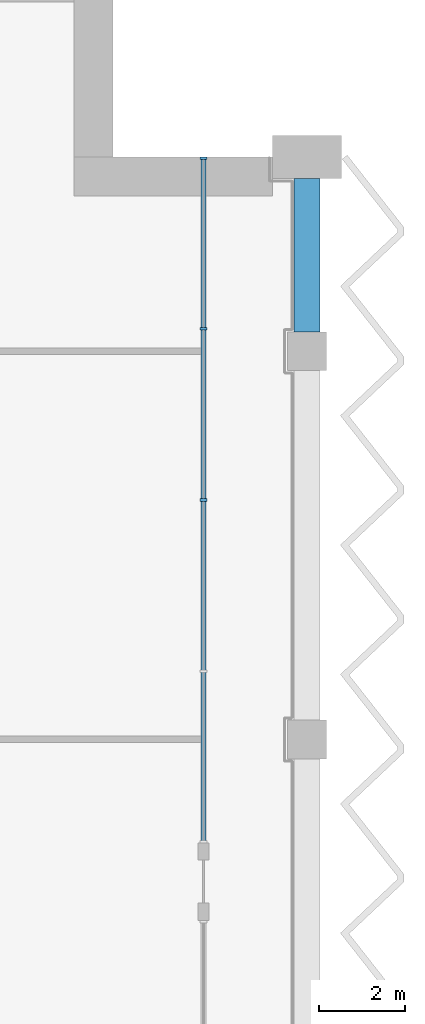
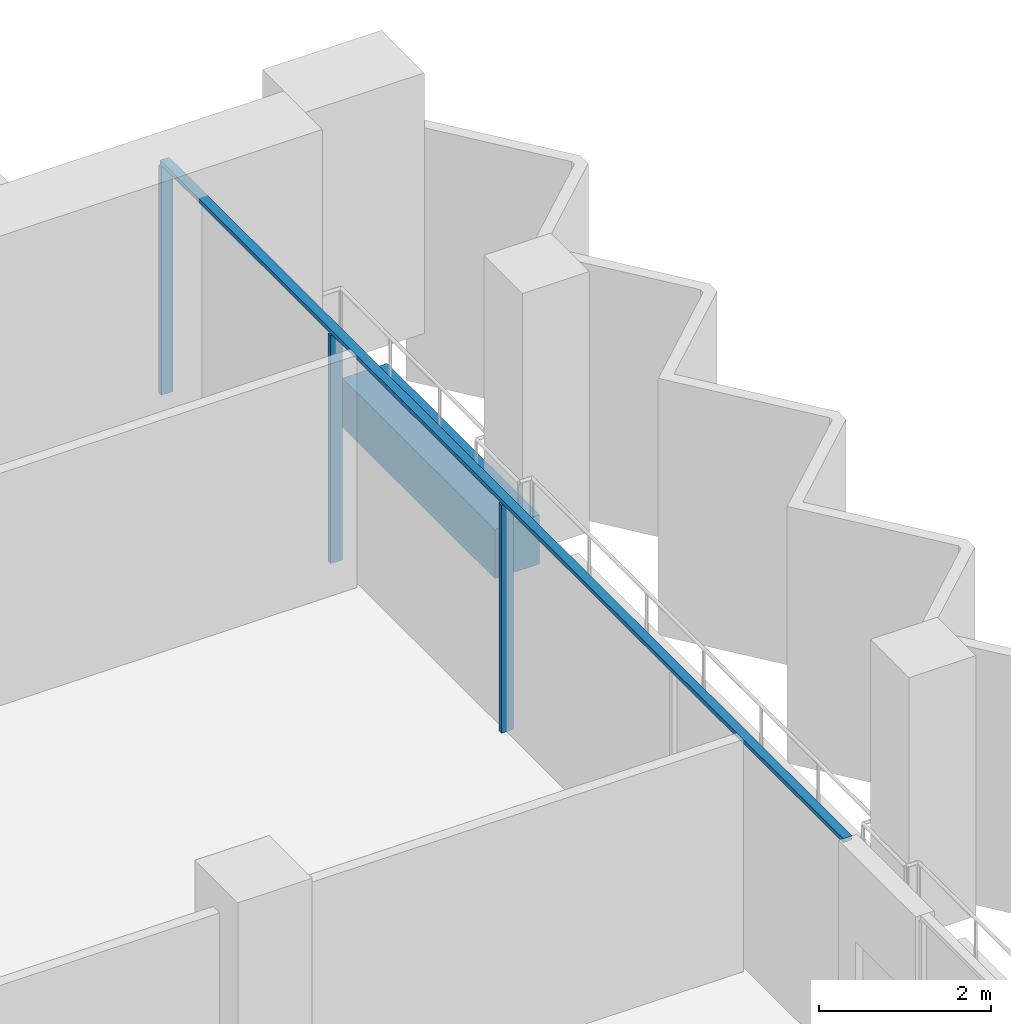
# One storey, part 5 of 16: 4 members, 1 beam, 1 element without a shape of its own.
"""IFC4 building model written with IfcOpenShell, lengths in metres."""

from ifc_helpers import new_model, si_unit, direction, frame, origin, origin_2d, place, context, subcontext, project, spatial, rectangle, extrude, material, material_profile, profile_set, type_object, element, aggregate, save


model = new_model("IFC4")

# Units and contexts
model_context = context("Model", 3, precision=1e-05, world=origin(), true_north=direction((0.0, 1.0)))
body_context = subcontext(model_context, "Body", "Model", "MODEL_VIEW")
ifc_project = project(units=[si_unit("LENGTHUNIT", "METRE"), si_unit("AREAUNIT", "SQUARE_METRE"), si_unit("VOLUMEUNIT", "CUBIC_METRE"), si_unit("PLANEANGLEUNIT", "RADIAN"), si_unit("MASSUNIT", "GRAM", prefix="KILO")], contexts=[model_context])

# Site, building, storey
site_placement = place(None, origin())
site = spatial("IfcSite", under=ifc_project, at=site_placement, CompositionType="ELEMENT")
building_placement = place(site_placement, origin())
building = spatial("IfcBuilding", under=site, at=building_placement, Name="Hunhe Ridgeline Campus", CompositionType="ELEMENT")
storey_placement = place(building_placement, frame((0.0, 0.0, 239.199951171875)))
storey = spatial("IfcBuildingStorey", under=building, at=storey_placement, Name="L61", CompositionType="ELEMENT", Elevation=239.199951171875)

# Curtain wall, members
ifc_material_1 = material(Name="Aluminium 6063", Category="aluminium")
curtain_wall_type = type_object("IfcCurtainWallType", Name="Curtain wall CW-1", PredefinedType="NOTDEFINED", material=ifc_material_1)
curtain_wall_placement = place(storey_placement, origin())
curtain_wall = element("IfcCurtainWall", 1, at=curtain_wall_placement, inside=storey, type_object=curtain_wall_type, Name="Curtain wall 14", PredefinedType="NOTDEFINED")
ifc_material_profile_1 = material_profile(ifc_material_1, rectangle(XDim=0.159912109375, YDim=0.06005859375, at=origin_2d()))
ifc_profile_set_1 = profile_set([ifc_material_profile_1], Name="Aluminium 6063")
member_type_1 = type_object("IfcMemberType", Name="CW-1 aluminium mullion", PredefinedType="MULLION", material=ifc_profile_set_1)
member_1_placement = place(storey_placement, frame((51.59912109375, 86.55029296875, 0.0), z_axis=(0.0, 0.0, 1.0), x_axis=(-1.0, 0.0, 0.0)))
member_1 = element("IfcMember", 2, at=member_1_placement, type_object=member_type_1, Name="CW-1 mullion 3", PredefinedType="MULLION", context=body_context, shape_type="SweptSolid", body=[
    extrude(rectangle(XDim=0.159912109375, YDim=0.06005859375, at=origin_2d()), origin(), (0.0, 0.0, 1.0), 3.239990234375),
])
member_2_placement = place(storey_placement, frame((51.59912109375, 90.525146484375, 0.0), z_axis=(0.0, 0.0, 1.0), x_axis=(-1.0, 0.0, 0.0)))
member_2 = element("IfcMember", 3, at=member_2_placement, type_object=member_type_1, Name="CW-1 mullion 4", PredefinedType="MULLION", context=body_context, shape_type="SweptSolid", body=[
    extrude(rectangle(XDim=0.159912109375, YDim=0.06005859375, at=origin_2d()), origin(), (0.0, 0.0, 1.0), 3.239990234375),
])
member_3_placement = place(storey_placement, frame((51.59912109375, 94.469970703125, 0.0), z_axis=(0.0, 0.0, 1.0), x_axis=(-1.0, 0.0, 0.0)))
member_3 = element("IfcMember", 4, at=member_3_placement, type_object=member_type_1, Name="CW-1 mullion 5", PredefinedType="MULLION", context=body_context, shape_type="SweptSolid", body=[
    extrude(rectangle(XDim=0.159912109375, YDim=0.06005859375, at=origin_2d()), origin(), (0.0, 0.0, 1.0), 3.239990234375),
])
ifc_material_profile_2 = material_profile(ifc_material_1, rectangle(XDim=0.1201171875, YDim=0.06005859375, at=origin_2d()))
ifc_profile_set_2 = profile_set([ifc_material_profile_2], Name="Aluminium 6063")
member_type_2 = type_object("IfcMemberType", Name="CW-1 aluminium transom", PredefinedType="USERDEFINED", material=ifc_profile_set_2)
member_4_placement = place(storey_placement, frame((51.59912109375, 78.6005859375, 3.27001953125), z_axis=(0.0, 1.0, 0.0), x_axis=(-1.0, 0.0, 0.0)))
member_4 = element("IfcMember", 5, at=member_4_placement, type_object=member_type_2, Name="CW-1 transom 1", ObjectType="TRANSOM", PredefinedType="USERDEFINED", context=body_context, shape_type="SweptSolid", body=[
    extrude(rectangle(XDim=0.1201171875, YDim=0.06005859375, at=origin_2d()), origin(), (0.0, 0.0, 1.0), 15.8994140625),
])
aggregate(curtain_wall, [member_4, member_1, member_2, member_3])

# Beam
ifc_material_2 = material(Name="Concrete C50", Category="concrete")
ifc_material_profile_3 = material_profile(ifc_material_2, rectangle(XDim=0.60009765625, YDim=0.699951171875, at=origin_2d()))
ifc_profile_set_3 = profile_set([ifc_material_profile_3], Name="Concrete C50")
beam_type = type_object("IfcBeamType", Name="RC spandrel beam 600x700 Concrete C50", PredefinedType="SPANDREL", material=ifc_profile_set_3)
beam_placement = place(storey_placement, frame((54.0, 90.449951171875, -0.599853515625), z_axis=(0.0, 1.0, 0.0), x_axis=(-1.0, 0.0, 0.0)))
element("IfcBeam", 6, at=beam_placement, inside=storey, type_object=beam_type, Name="Spandrel beam B4-17 L61", PredefinedType="SPANDREL", context=body_context, shape_type="SweptSolid", body=[
    extrude(rectangle(XDim=0.60009765625, YDim=0.699951171875, at=origin_2d()), origin(), (0.0, 0.0, 1.0), 3.550048828125),
])

save(model, "model.ifc")
